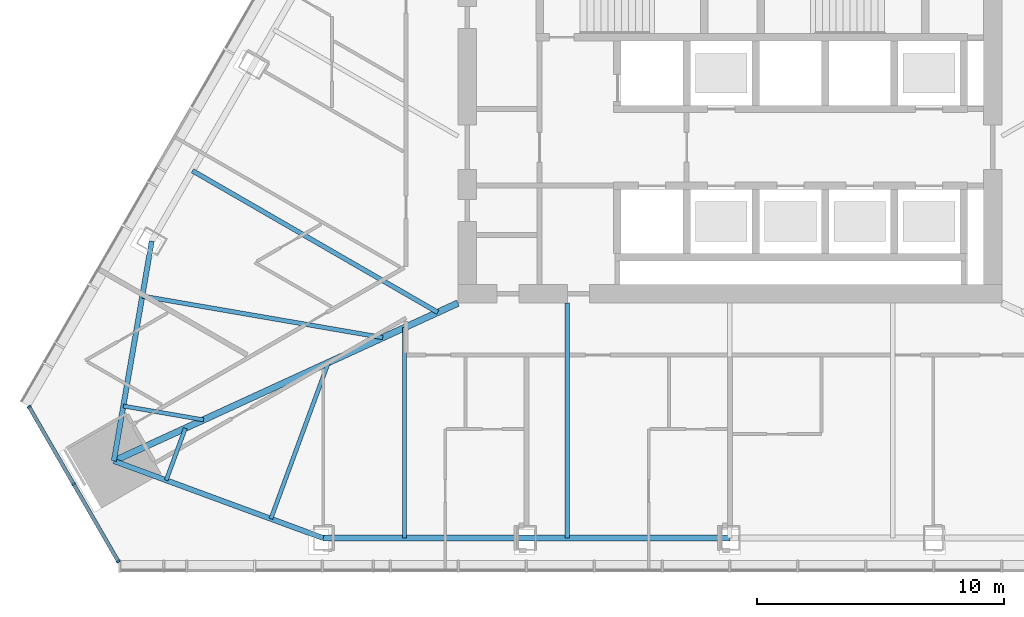
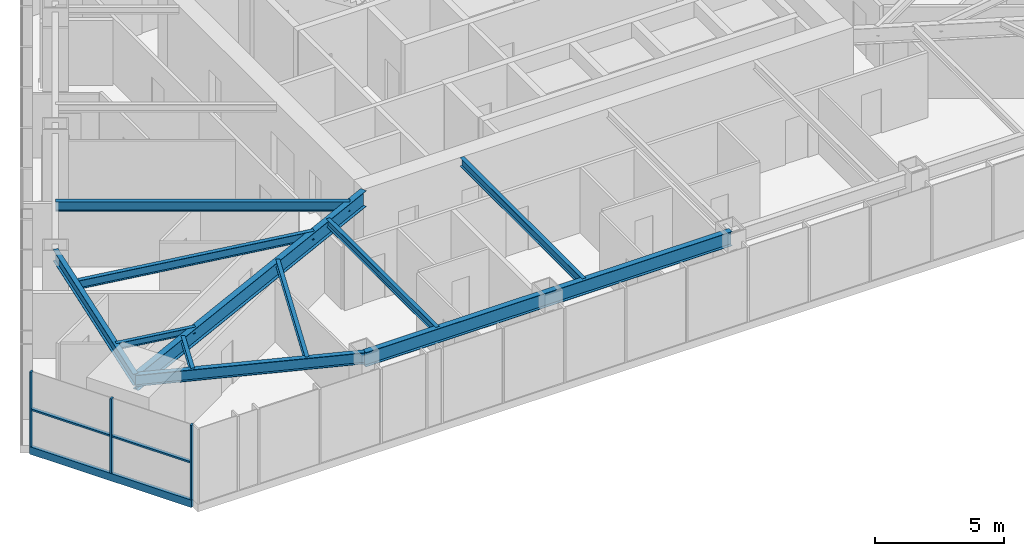
# One storey, part 2 of 16: 11 beams, 6 members, 1 element without a shape of its own.
"""IFC4 building model written with IfcOpenShell, lengths in metres."""

from ifc_helpers import new_model, si_unit, direction, frame, origin, origin_2d, place, context, subcontext, project, spatial, rectangle, i_section, extrude, material, layer, layer_set, material_profile, profile_set, type_object, element, aggregate, save


model = new_model("IFC4")

# Units and contexts
model_context = context("Model", 3, precision=1e-05, world=origin(), true_north=direction((0.0, 1.0)))
body_context = subcontext(model_context, "Body", "Model", "MODEL_VIEW")
ifc_project = project(units=[si_unit("LENGTHUNIT", "METRE"), si_unit("AREAUNIT", "SQUARE_METRE"), si_unit("VOLUMEUNIT", "CUBIC_METRE"), si_unit("PLANEANGLEUNIT", "RADIAN"), si_unit("MASSUNIT", "GRAM", prefix="KILO")], contexts=[model_context])

# Site, building, storey
site_placement = place(None, origin())
site = spatial("IfcSite", under=ifc_project, at=site_placement, CompositionType="ELEMENT")
building_placement = place(site_placement, origin())
building = spatial("IfcBuilding", under=site, at=building_placement, Name="Firuza Gate Tower and Library", CompositionType="ELEMENT")
storey_placement = place(building_placement, frame((0.0, 0.0, 229.89990234375)))
storey = spatial("IfcBuildingStorey", under=building, at=storey_placement, Name="L54", CompositionType="ELEMENT", Elevation=229.89990234375)

# Curtain wall, members
ifc_material_1 = material(Name="Aluminium 6063-T6", Category="aluminium")
ifc_layer = layer(ifc_material_1, 0.14990234375)
ifc_layer_set = layer_set([ifc_layer], Name="Corner curtain wall, chamfers")
curtain_wall_type = type_object("IfcCurtainWallType", Name="Corner curtain wall, chamfers", PredefinedType="NOTDEFINED", material=ifc_layer_set)
curtain_wall_placement = place(storey_placement, origin())
curtain_wall = element("IfcCurtainWall", 1, at=curtain_wall_placement, inside=storey, type_object=curtain_wall_type, Name="CW4 L54 SW corner", PredefinedType="NOTDEFINED")
ifc_material_2 = material(Name="Aluminium 6063-T6", Category="aluminium")
ifc_material_profile_1 = material_profile(ifc_material_2, rectangle(XDim=0.14990234375, YDim=0.080078125, at=origin_2d()))
ifc_profile_set_1 = profile_set([ifc_material_profile_1], Name="Aluminium 6063-T6")
member_type_1 = type_object("IfcMemberType", Name="Curtain wall mullion 80x150", PredefinedType="MULLION", material=ifc_profile_set_1)
member_1_placement = place(storey_placement, frame((46.65673828125, 62.796875, 0.150146484375), z_axis=(0.0, 0.0, 1.0), x_axis=(0.866025403784, 0.5, 0.0)))
member_1 = element("IfcMember", 2, at=member_1_placement, type_object=member_type_1, Name="Mullion", PredefinedType="MULLION", context=body_context, shape_type="SweptSolid", body=[
    extrude(rectangle(XDim=0.14990234375, YDim=0.080078125, at=origin_2d()), origin(), (0.0, 0.0, 1.0), 3.550048828125),
])
member_2_placement = place(storey_placement, frame((48.45849609375, 59.67626953125, 0.150146484375), z_axis=(0.0, 0.0, 1.0), x_axis=(0.866025403784, 0.5, 0.0)))
member_2 = element("IfcMember", 3, at=member_2_placement, type_object=member_type_1, Name="Mullion", PredefinedType="MULLION", context=body_context, shape_type="SweptSolid", body=[
    extrude(rectangle(XDim=0.14990234375, YDim=0.080078125, at=origin_2d()), origin(), (0.0, 0.0, 1.0), 3.550048828125),
])
member_3_placement = place(storey_placement, frame((50.260009765625, 56.5556640625, 0.150146484375), z_axis=(0.0, 0.0, 1.0), x_axis=(0.866025403784, 0.5, 0.0)))
member_3 = element("IfcMember", 4, at=member_3_placement, type_object=member_type_1, Name="Mullion", PredefinedType="MULLION", context=body_context, shape_type="SweptSolid", body=[
    extrude(rectangle(XDim=0.14990234375, YDim=0.080078125, at=origin_2d()), origin(), (0.0, 0.0, 1.0), 3.550048828125),
])
ifc_material_3 = material(Name="Aluminium 6063-T6", Category="aluminium")
ifc_material_profile_2 = material_profile(ifc_material_3, rectangle(XDim=0.14990234375, YDim=0.35009765625, at=origin_2d()))
ifc_profile_set_2 = profile_set([ifc_material_profile_2], Name="Aluminium 6063-T6")
member_type_2 = type_object("IfcMemberType", Name="Curtain wall transom 350x150", PredefinedType="USERDEFINED", material=ifc_profile_set_2)
member_4_placement = place(storey_placement, frame((46.63671875, 62.831298828125, -0.02490234375), z_axis=(0.500005719219, -0.866022101766, 0.0), x_axis=(0.866022101766, 0.500005719219, 0.0)))
member_4 = element("IfcMember", 5, at=member_4_placement, type_object=member_type_2, Name="Transom", ObjectType="TRANSOM", PredefinedType="USERDEFINED", context=body_context, shape_type="SweptSolid", body=[
    extrude(rectangle(XDim=0.14990234375, YDim=0.35009765625, at=origin_2d()), origin(), (0.0, 0.0, 1.0), 7.28662109375),
])
ifc_material_4 = material(Name="Aluminium 6063-T6", Category="aluminium")
ifc_material_profile_3 = material_profile(ifc_material_4, rectangle(XDim=0.14990234375, YDim=0.080078125, at=origin_2d()))
ifc_profile_set_3 = profile_set([ifc_material_profile_3], Name="Aluminium 6063-T6")
member_type_3 = type_object("IfcMemberType", Name="Curtain wall transom 80x150", PredefinedType="USERDEFINED", material=ifc_profile_set_3)
member_5_placement = place(storey_placement, frame((46.65673828125, 62.796875, 1.925048828125), z_axis=(0.500015035186, -0.866016723041, 0.0), x_axis=(0.866016723041, 0.500015035186, 0.0)))
member_5 = element("IfcMember", 6, at=member_5_placement, type_object=member_type_3, Name="Transom", ObjectType="TRANSOM", PredefinedType="USERDEFINED", context=body_context, shape_type="SweptSolid", body=[
    extrude(rectangle(XDim=0.14990234375, YDim=0.080078125, at=origin_2d()), origin(), (0.0, 0.0, 1.0), 3.5634765625),
])
member_6_placement = place(storey_placement, frame((48.478515625, 59.6416015625, 1.925048828125), z_axis=(0.49996364809, -0.866046390552, 0.0), x_axis=(0.866046390552, 0.49996364809, 0.0)))
member_6 = element("IfcMember", 7, at=member_6_placement, type_object=member_type_3, Name="Transom", ObjectType="TRANSOM", PredefinedType="USERDEFINED", context=body_context, shape_type="SweptSolid", body=[
    extrude(rectangle(XDim=0.14990234375, YDim=0.080078125, at=origin_2d()), origin(), (0.0, 0.0, 1.0), 3.563232421875),
])
aggregate(curtain_wall, [member_1, member_2, member_3, member_4, member_5, member_6])

# Beams
ifc_material_5 = material(Name="Steel S355", Category="steel")
ifc_material_profile_4 = material_profile(ifc_material_5, i_section(OverallWidth=0.1650390625, OverallDepth=0.31005859375, WebThickness=0.005859375, FlangeThickness=0.009765625, at=origin_2d()))
ifc_profile_set_4 = profile_set([ifc_material_profile_4], Name="Steel S355")
beam_type_1 = type_object("IfcBeamType", Name="W310x39 Floor beam", PredefinedType="JOIST", material=ifc_profile_set_4)
beam_1_placement = place(storey_placement, frame((50.465576171875, 62.83642578125, 3.545166015625), z_axis=(0.985455831019, -0.169931766042, 0.0), x_axis=(0.169931766042, 0.985455831019, 0.0)))
element("IfcBeam", 8, at=beam_1_placement, inside=storey, type_object=beam_type_1, Name="Floor beam L54 s01", PredefinedType="JOIST", context=body_context, shape_type="SweptSolid", body=[
    extrude(i_section(OverallWidth=0.1650390625, OverallDepth=0.31005859375, WebThickness=0.005859375, FlangeThickness=0.009765625, at=origin_2d()), origin(), (0.0, 0.0, 1.0), 3.2900390625),
])
beam_2_placement = place(storey_placement, frame((52.198974609375, 59.834228515625, 3.545166015625), z_axis=(0.345503762559, 0.938417364533, 0.0), x_axis=(-0.938417364533, 0.345503762559, 0.0)))
element("IfcBeam", 9, at=beam_2_placement, inside=storey, type_object=beam_type_1, Name="Floor beam L54 s10", PredefinedType="JOIST", context=body_context, shape_type="SweptSolid", body=[
    extrude(i_section(OverallWidth=0.1650390625, OverallDepth=0.31005859375, WebThickness=0.005859375, FlangeThickness=0.009765625, at=origin_2d()), origin(), (0.0, 0.0, 1.0), 2.244873046875),
])
beam_3_placement = place(storey_placement, frame((56.43212890625, 58.275390625, 3.545166015625), z_axis=(0.3455793619, 0.938389527131, 0.0), x_axis=(-0.938389527131, 0.3455793619, 0.0)))
element("IfcBeam", 10, at=beam_3_placement, inside=storey, type_object=beam_type_1, Name="Floor beam L54 s11", PredefinedType="JOIST", context=body_context, shape_type="SweptSolid", body=[
    extrude(i_section(OverallWidth=0.1650390625, OverallDepth=0.31005859375, WebThickness=0.005859375, FlangeThickness=0.009765625, at=origin_2d()), origin(), (0.0, 0.0, 1.0), 6.73486328125),
])
ifc_material_6 = material(Name="Steel S355", Category="steel")
ifc_material_profile_5 = material_profile(ifc_material_6, i_section(OverallWidth=0.1708984375, OverallDepth=0.35498046875, WebThickness=0.007080078125, FlangeThickness=0.01171875, at=origin_2d()))
ifc_profile_set_5 = profile_set([ifc_material_profile_5], Name="Steel S355")
beam_type_2 = type_object("IfcBeamType", Name="W360x51 Floor beam", PredefinedType="JOIST", material=ifc_profile_set_5)
beam_4_placement = place(storey_placement, frame((61.839111328125, 57.49609375, 3.522705078125), z_axis=(0.0, 1.0, 0.0), x_axis=(-1.0, 0.0, 0.0)))
element("IfcBeam", 11, at=beam_4_placement, inside=storey, type_object=beam_type_2, Name="Floor beam L54 s20", PredefinedType="JOIST", context=body_context, shape_type="SweptSolid", body=[
    extrude(i_section(OverallWidth=0.1708984375, OverallDepth=0.35498046875, WebThickness=0.007080078125, FlangeThickness=0.01171875, at=origin_2d()), origin(), (0.0, 0.0, 1.0), 8.512451171875),
])
ifc_material_7 = material(Name="Steel S355", Category="steel")
ifc_material_profile_6 = material_profile(ifc_material_7, i_section(OverallWidth=0.177978515625, OverallDepth=0.406982421875, WebThickness=0.0078125, FlangeThickness=0.0126953125, at=origin_2d()))
ifc_profile_set_6 = profile_set([ifc_material_profile_6], Name="Steel S355")
beam_type_3 = type_object("IfcBeamType", Name="W410x60 Floor beam", PredefinedType="JOIST", material=ifc_profile_set_6)
beam_5_placement = place(storey_placement, frame((51.232177734375, 67.2822265625, 3.49658203125), z_axis=(0.985452403009, -0.169951644313, 0.0), x_axis=(0.169951644313, 0.985452403009, 0.0)))
element("IfcBeam", 12, at=beam_5_placement, inside=storey, type_object=beam_type_3, Name="Floor beam L54 s00", PredefinedType="JOIST", context=body_context, shape_type="SweptSolid", body=[
    extrude(i_section(OverallWidth=0.177978515625, OverallDepth=0.406982421875, WebThickness=0.0078125, FlangeThickness=0.0126953125, at=origin_2d()), origin(), (0.0, 0.0, 1.0), 9.870361328125),
])
beam_6_placement = place(storey_placement, frame((68.419677734375, 57.49609375, 3.49658203125), z_axis=(0.0, 1.0, 0.0), x_axis=(-1.0, 0.0, 0.0)))
element("IfcBeam", 13, at=beam_6_placement, inside=storey, type_object=beam_type_3, Name="Floor beam L54 s21", PredefinedType="JOIST", context=body_context, shape_type="SweptSolid", body=[
    extrude(i_section(OverallWidth=0.177978515625, OverallDepth=0.406982421875, WebThickness=0.0078125, FlangeThickness=0.0126953125, at=origin_2d()), origin(), (0.0, 0.0, 1.0), 9.50390625),
])
ifc_material_8 = material(Name="Steel S355", Category="steel")
ifc_material_profile_7 = material_profile(ifc_material_8, i_section(OverallWidth=0.18994140625, OverallDepth=0.45703125, WebThickness=0.009033203125, FlangeThickness=0.014404296875, at=origin_2d()))
ifc_profile_set_7 = profile_set([ifc_material_profile_7], Name="Steel S355")
beam_type_4 = type_object("IfcBeamType", Name="W460x74 Floor beam", PredefinedType="JOIST", material=ifc_profile_set_7)
beam_7_placement = place(storey_placement, frame((53.2607421875, 72.354248046875, 3.4716796875), z_axis=(0.866023783073, -0.500002807145, 0.0), x_axis=(0.500002807145, 0.866023783073, 0.0)))
element("IfcBeam", 14, at=beam_7_placement, inside=storey, type_object=beam_type_4, Name="Floor beam L54 s84", PredefinedType="JOIST", context=body_context, shape_type="SweptSolid", body=[
    extrude(i_section(OverallWidth=0.18994140625, OverallDepth=0.45703125, WebThickness=0.009033203125, FlangeThickness=0.014404296875, at=origin_2d()), origin(), (0.0, 0.0, 1.0), 11.4580078125),
])
ifc_material_9 = material(Name="Steel S355", Category="steel")
ifc_material_profile_8 = material_profile(ifc_material_9, i_section(OverallWidth=0.212890625, OverallDepth=0.5390625, WebThickness=0.01171875, FlangeThickness=0.018798828125, at=origin_2d()))
ifc_profile_set_8 = profile_set([ifc_material_profile_8], Name="Steel S355")
beam_type_5 = type_object("IfcBeamType", Name="W530x109 Edge beam", PredefinedType="SPANDREL", material=ifc_profile_set_8)
beam_8_placement = place(storey_placement, frame((51.615478515625, 69.5048828125, 3.4306640625), z_axis=(-0.169934101, -0.985455428377, 0.0), x_axis=(0.985455428377, -0.169934101, 0.0)))
element("IfcBeam", 15, at=beam_8_placement, inside=storey, type_object=beam_type_5, Name="Edge beam L54 e00", PredefinedType="SPANDREL", context=body_context, shape_type="SweptSolid", body=[
    extrude(i_section(OverallWidth=0.212890625, OverallDepth=0.5390625, WebThickness=0.01171875, FlangeThickness=0.018798828125, at=origin_2d()), origin(), (0.0, 0.0, 1.0), 9.0224609375),
])
beam_9_placement = place(storey_placement, frame((50.082275390625, 60.61376953125, 3.4306640625), z_axis=(0.938399929304, -0.345551114427, 0.0), x_axis=(0.345551114427, 0.938399929304, 0.0)))
element("IfcBeam", 16, at=beam_9_placement, inside=storey, type_object=beam_type_5, Name="Edge beam L54 e10", PredefinedType="SPANDREL", context=body_context, shape_type="SweptSolid", body=[
    extrude(i_section(OverallWidth=0.212890625, OverallDepth=0.5390625, WebThickness=0.01171875, FlangeThickness=0.018798828125, at=origin_2d()), origin(), (0.0, 0.0, 1.0), 9.022216796875),
])
ifc_material_10 = material(Name="Steel S355", Category="steel")
ifc_material_profile_9 = material_profile(ifc_material_10, i_section(OverallWidth=0.2529296875, OverallDepth=0.677978515625, WebThickness=0.01171875, FlangeThickness=0.016357421875, at=origin_2d()))
ifc_profile_set_9 = profile_set([ifc_material_profile_9], Name="Steel S355")
beam_type_6 = type_object("IfcBeamType", Name="W690x125 Edge beam", PredefinedType="SPANDREL", material=ifc_profile_set_9)
beam_10_placement = place(storey_placement, frame((58.548828125, 57.49609375, 3.361083984375), z_axis=(1.0, 0.0, 0.0), x_axis=(0.0, 1.0, 0.0)))
element("IfcBeam", 17, at=beam_10_placement, inside=storey, type_object=beam_type_6, Name="Edge beam L54 e20", PredefinedType="SPANDREL", context=body_context, shape_type="SweptSolid", body=[
    extrude(i_section(OverallWidth=0.2529296875, OverallDepth=0.677978515625, WebThickness=0.01171875, FlangeThickness=0.016357421875, at=origin_2d()), origin(), (0.0, 0.0, 1.0), 16.451171875),
])
ifc_material_11 = material(Name="Steel S355", Category="steel")
ifc_material_profile_10 = material_profile(ifc_material_11, i_section(OverallWidth=0.264892578125, OverallDepth=0.7529296875, WebThickness=0.01318359375, FlangeThickness=0.01708984375, at=origin_2d()))
ifc_profile_set_10 = profile_set([ifc_material_profile_10], Name="Steel S355")
beam_type_7 = type_object("IfcBeamType", Name="W760x147 Girder", PredefinedType="BEAM", material=ifc_profile_set_10)
beam_11_placement = place(storey_placement, frame((50.082275390625, 60.61376953125, 3.323486328125), z_axis=(0.908884831749, 0.417047194711, 0.0), x_axis=(-0.417047194711, 0.908884831749, 0.0)))
element("IfcBeam", 18, at=beam_11_placement, inside=storey, type_object=beam_type_7, Name="Girder L54 gSW", PredefinedType="BEAM", context=body_context, shape_type="SweptSolid", body=[
    extrude(i_section(OverallWidth=0.264892578125, OverallDepth=0.7529296875, WebThickness=0.01318359375, FlangeThickness=0.01708984375, at=origin_2d()), origin(), (0.0, 0.0, 1.0), 15.31298828125),
])

save(model, "model.ifc")
